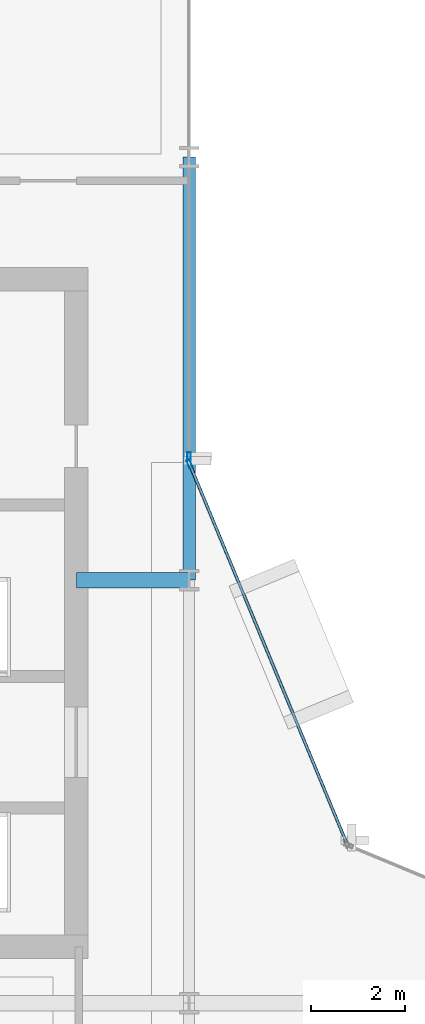
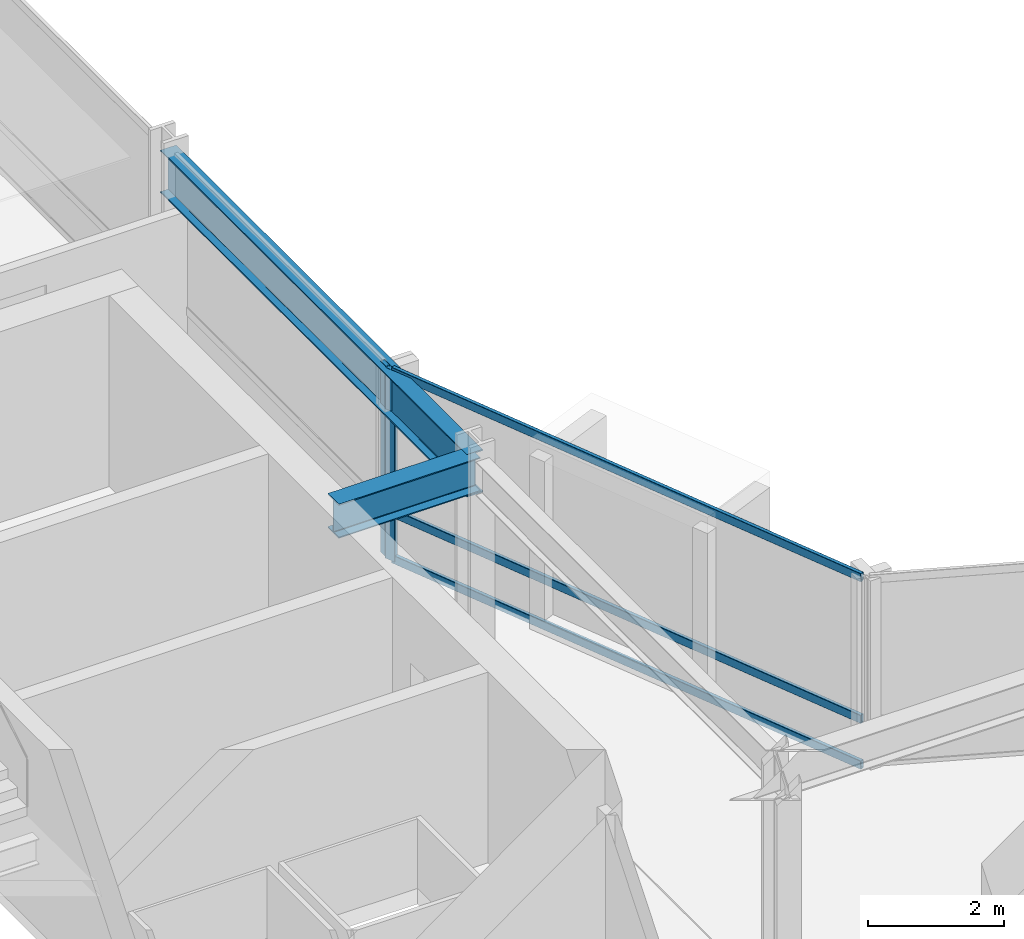
# One storey, part 17 of 28: 5 members, 2 beams, 2 elements without a shape of their own.
"""IFC4 building model written with IfcOpenShell, lengths in metres."""

import ifcopenshell
import ifcopenshell.guid

model = None  # the IFC model being written
_history = None  # IfcOwnerHistory: only IFC2X3 demands one
_inside = {}  # id of a spatial element -> (the spatial element, [elements in it])
_under = {}  # id of a project, library or spatial element -> (it, [spatial elements below it])
_declared = {}  # id of a project -> (the project, [libraries it declares])
_typed = {}  # id of a type object -> (the type object, [elements of that type])
_made_of = {}  # id of a material, layer set ... -> (it, [elements and type objects made of it])


def new_model(schema):
    """Start an empty IFC model of exactly this schema.

    Asked for "IFC4X3", IfcOpenShell would pick the latest addendum, in which some entities
    have other attributes; the version numbers below select the first issue.
    IFC2X3 requires an IfcOwnerHistory on every rooted entity: one is made here for all.
    """
    global model, _history
    if schema == "IFC4X3":
        model = ifcopenshell.file(schema_version=(4, 3, 0, 0))
    else:
        model = ifcopenshell.file(schema=schema)
    _inside.clear()
    _under.clear()
    _declared.clear()
    _typed.clear()
    _made_of.clear()
    _history = None
    if model.schema == "IFC2X3":
        org = make("IfcOrganization", Name="unknown")
        user = make(
            "IfcPersonAndOrganization",
            ThePerson=make("IfcPerson", FamilyName="unknown"),
            TheOrganization=org,
        )
        app = make(
            "IfcApplication",
            ApplicationDeveloper=org,
            Version="unknown",
            ApplicationFullName="unknown",
            ApplicationIdentifier="unknown",
        )
        _history = make(
            "IfcOwnerHistory",
            OwningUser=user,
            OwningApplication=app,
            ChangeAction="ADDED",
            CreationDate=0,
        )
    return model


def make(cls, **values):
    """One entity of the class cls with the attributes given. An attribute that is None is left unset."""
    return model.create_entity(
        cls, **{name: value for name, value in values.items() if value is not None}
    )


def rooted(cls, **values):
    """An entity with a GlobalId (a new one), such as an element, a storey or a relation."""
    return make(cls, GlobalId=ifcopenshell.guid.new(), OwnerHistory=_history, **values)


def si_unit(unit_type, name, prefix=None):
    """IfcSIUnit, for example si_unit("LENGTHUNIT", "METRE", prefix="MILLI")."""
    return make("IfcSIUnit", UnitType=unit_type, Prefix=prefix, Name=name)


def assignment(units):
    """IfcUnitAssignment: the units of a project."""
    return None if units is None else make("IfcUnitAssignment", Units=units)


def point(xyz):
    """IfcCartesianPoint."""
    return None if xyz is None else make("IfcCartesianPoint", Coordinates=xyz)


def direction(xyz):
    """IfcDirection."""
    return None if xyz is None else make("IfcDirection", DirectionRatios=xyz)


def frame(location, z_axis=None, x_axis=None):
    """IfcAxis2Placement3D, a coordinate frame: its origin and axes. An axis left out is left unset."""
    return make(
        "IfcAxis2Placement3D",
        Location=point(location),
        Axis=direction(z_axis),
        RefDirection=direction(x_axis),
    )


def frame_2d(location, x_axis=None):
    """IfcAxis2Placement2D, a coordinate frame in the plane: its origin and x axis."""
    return make(
        "IfcAxis2Placement2D", Location=point(location), RefDirection=direction(x_axis)
    )


def origin():
    """The frame at (0, 0, 0) with its axes left unset."""
    return frame((0.0, 0.0, 0.0))


def origin_2d():
    """The frame at (0, 0) in the plane with its x axis left unset."""
    return frame_2d((0.0, 0.0))


def place(relative_to, where):
    """IfcLocalPlacement: puts the frame where relative to a parent placement (None: the world)."""
    return make(
        "IfcLocalPlacement", PlacementRelTo=relative_to, RelativePlacement=where
    )


def context(
    kind, dimensions, precision=None, world=None, true_north=None, identifier=None
):
    """IfcGeometricRepresentationContext, for example the 3D "Model" context."""
    return make(
        "IfcGeometricRepresentationContext",
        ContextIdentifier=identifier,
        ContextType=kind,
        CoordinateSpaceDimension=dimensions,
        Precision=precision,
        WorldCoordinateSystem=world,
        TrueNorth=true_north,
    )


def subcontext(parent, identifier, kind, view, scale=None):
    """IfcGeometricRepresentationSubContext, for example "Body" below "Model"."""
    return make(
        "IfcGeometricRepresentationSubContext",
        ContextIdentifier=identifier,
        ContextType=kind,
        ParentContext=parent,
        TargetScale=scale,
        TargetView=view,
    )


def project(units=None, contexts=None):
    """IfcProject with its units and contexts."""
    return rooted(
        "IfcProject",
        Name="project",
        RepresentationContexts=contexts,
        UnitsInContext=assignment(units),
    )


def spatial(cls, under=None, at=None, **own):
    """A site, building, storey or space (cls), placed at a placement, below another one or the project."""
    s = rooted(cls, ObjectPlacement=at, **own)
    if under is not None:
        _under.setdefault(under.id(), (under, []))[1].append(s)
    return s


def profile(cls, at=None, kind="AREA", **sizes):
    """A parametric profile (cls). Its sizes go by their IFC names, for example OverallWidth=200.0."""
    return make(cls, ProfileType=kind, Position=at, **sizes)


def hollow_rectangle(**sizes):
    """IfcRectangleHollowProfileDef."""
    return profile("IfcRectangleHollowProfileDef", **sizes)


def i_section(**sizes):
    """IfcIShapeProfileDef."""
    return profile("IfcIShapeProfileDef", **sizes)


def extrude(swept, where, along, depth):
    """IfcExtrudedAreaSolid: the profile swept, set in the frame where, extruded along a direction by depth."""
    return make(
        "IfcExtrudedAreaSolid",
        SweptArea=swept,
        Position=where,
        ExtrudedDirection=direction(along),
        Depth=depth,
    )


def shape(context_of_items, identifier, shape_type, items):
    """IfcShapeRepresentation: the items that make up one representation, for example the "Body"."""
    return make(
        "IfcShapeRepresentation",
        ContextOfItems=context_of_items,
        RepresentationIdentifier=identifier,
        RepresentationType=shape_type,
        Items=items,
    )


def material(Name=None, Category=None):
    """IfcMaterial."""
    return make("IfcMaterial", Name=Name, Category=Category)


def layer(
    of_material, thickness, ventilated=None, Name=None, Category=None, Priority=None
):
    """IfcMaterialLayer: one layer of a wall or slab, of a material (None: an air gap)."""
    return make(
        "IfcMaterialLayer",
        Material=of_material,
        LayerThickness=thickness,
        IsVentilated=ventilated,
        Name=Name,
        Category=Category,
        Priority=Priority,
    )


def layer_set(layers, Name=None):
    """IfcMaterialLayerSet."""
    return make("IfcMaterialLayerSet", MaterialLayers=layers, LayerSetName=Name)


def material_profile(
    of_material, cross_section, Name=None, Category=None, Priority=None
):
    """IfcMaterialProfile: a cross section and its material."""
    return make(
        "IfcMaterialProfile",
        Name=Name,
        Material=of_material,
        Profile=cross_section,
        Priority=Priority,
        Category=Category,
    )


def profile_set(profiles, Name=None, composite=None):
    """IfcMaterialProfileSet."""
    return make(
        "IfcMaterialProfileSet",
        Name=Name,
        MaterialProfiles=profiles,
        CompositeProfile=composite,
    )


def made_of(thing, what):
    """Note that an element or type object is made of a material, layer set ...; save() writes the relation."""
    if what is not None:
        _made_of.setdefault(what.id(), (what, []))[1].append(thing)
    return thing


def type_object(cls, material=None, **own):
    """A type object (cls), such as IfcWallType, which elements share."""
    return made_of(rooted(cls, **own), material)


def element(
    cls,
    number,
    at=None,
    inside=None,
    cuts=None,
    type_object=None,
    material=None,
    context=None,
    identifier="Body",
    shape_type=None,
    held_by="IfcProductDefinitionShape",
    body=None,
    shapes=None,
    **own,
):
    """One element of the class cls, such as IfcWall. Its Tag is "e" and its number.

    at: its placement. inside: the storey or other place that contains it. cuts: it is an
    opening in that element (IfcRelVoidsElement). A single representation is given by context,
    identifier, shape_type and body (its items); several are given by shapes. held_by: the class
    of the entity that holds the representations. save() writes the other relations.
    """
    e = rooted(cls, Tag="e%d" % number, ObjectPlacement=at, **own)
    if body is not None:
        shapes = [shape(context, identifier, shape_type, body)]
    if shapes is not None:
        e.Representation = make(held_by, Representations=shapes)
    if inside is not None:
        _inside.setdefault(inside.id(), (inside, []))[1].append(e)
    if cuts is not None:
        rooted(
            "IfcRelVoidsElement", RelatingBuildingElement=cuts, RelatedOpeningElement=e
        )
    if type_object is not None:
        _typed.setdefault(type_object.id(), (type_object, []))[1].append(e)
    return made_of(e, material)


def aggregate(whole, parts):
    """IfcRelAggregates: a whole, such as a stair, and the parts it consists of."""
    return rooted("IfcRelAggregates", RelatingObject=whole, RelatedObjects=parts)


def save(model, path):
    """Write the relations noted so far, then the file.

    IfcRelAggregates (storeys below a building ...), IfcRelContainedInSpatialStructure (elements
    in a storey), IfcRelDefinesByType, IfcRelAssociatesMaterial and IfcRelDeclares: one each for
    every whole, place, type object, material and project.
    """
    for whole, parts in _under.values():
        aggregate(whole, parts)
    for where, things in _inside.values():
        rooted(
            "IfcRelContainedInSpatialStructure",
            RelatedElements=things,
            RelatingStructure=where,
        )
    for kind, things in _typed.values():
        rooted("IfcRelDefinesByType", RelatedObjects=things, RelatingType=kind)
    for what, things in _made_of.values():
        rooted("IfcRelAssociatesMaterial", RelatedObjects=things, RelatingMaterial=what)
    for by, libraries in _declared.values():
        rooted("IfcRelDeclares", RelatingContext=by, RelatedDefinitions=libraries)
    model.write(path)


model = new_model("IFC4")

# Units and contexts
model_context = context("Model", 3, precision=1e-05, world=origin(), true_north=direction((0.0, 1.0)))
body_context = subcontext(model_context, "Body", "Model", "MODEL_VIEW")
ifc_project = project(units=[si_unit("LENGTHUNIT", "METRE"), si_unit("AREAUNIT", "SQUARE_METRE"), si_unit("VOLUMEUNIT", "CUBIC_METRE"), si_unit("PLANEANGLEUNIT", "RADIAN"), si_unit("MASSUNIT", "GRAM", prefix="KILO")], contexts=[model_context])

# Site, building, storey
site_placement = place(None, origin())
site = spatial("IfcSite", under=ifc_project, at=site_placement, CompositionType="ELEMENT")
building_placement = place(site_placement, origin())
building = spatial("IfcBuilding", under=site, at=building_placement, Name="Solvaryn Broadcast Tower", CompositionType="ELEMENT")
storey_placement = place(building_placement, frame((0.0, 0.0, 132.199951171875)))
storey = spatial("IfcBuildingStorey", under=building, at=storey_placement, Name="L32", CompositionType="ELEMENT", Elevation=132.199951171875)

# Beams
ifc_material_1 = material(Name="Steel ASTM A992 Grade 50", Category="steel")
ifc_material_profile_1 = material_profile(ifc_material_1, i_section(OverallWidth=0.323974609375, OverallDepth=0.611083984375, WebThickness=0.0126953125, FlangeThickness=0.01904296875, FilletRadius=0.014892578125, at=origin_2d()))
ifc_profile_set_1 = profile_set([ifc_material_profile_1], Name="Steel ASTM A992 Grade 50")
beam_type_1 = type_object("IfcBeamType", Name="BM-B1-W24X104", PredefinedType="BEAM", material=ifc_profile_set_1)
beam_1_placement = place(storey_placement, frame((24.60009765625, 36.0, 3.114501953125), z_axis=(1.0, 0.0, 0.0), x_axis=(0.0, 1.0, 0.0)))
element("IfcBeam", 1, at=beam_1_placement, inside=storey, type_object=beam_type_1, Name="L32 Core Tie Beam CTW2", PredefinedType="BEAM", context=body_context, shape_type="SweptSolid", body=[
    extrude(i_section(OverallWidth=0.323974609375, OverallDepth=0.611083984375, WebThickness=0.0126953125, FlangeThickness=0.01904296875, FilletRadius=0.014892578125, at=origin_2d()), origin(), (0.0, 0.0, 1.0), 2.39990234375),
])
ifc_material_2 = material(Name="Steel ASTM A992 Grade 50", Category="steel")
ifc_material_profile_2 = material_profile(ifc_material_2, i_section(OverallWidth=0.26708984375, OverallDepth=0.76611328125, WebThickness=0.014892578125, FlangeThickness=0.023681640625, FilletRadius=0.01806640625, at=origin_2d()))
ifc_profile_set_2 = profile_set([ifc_material_profile_2], Name="Steel ASTM A992 Grade 50")
beam_type_2 = type_object("IfcBeamType", Name="BM-SP2-W30X124", PredefinedType="USERDEFINED", material=ifc_profile_set_2)
beam_2_placement = place(storey_placement, frame((27.0, 36.0, 3.037109375), z_axis=(0.0, 1.0, 0.0), x_axis=(-1.0, 0.0, 0.0)))
element("IfcBeam", 2, at=beam_2_placement, inside=storey, type_object=beam_type_2, Name="L32 Spandrel Beam Y (36-45 @ X=27)", ObjectType="SPANDREL", PredefinedType="USERDEFINED", context=body_context, shape_type="SweptSolid", body=[
    extrude(i_section(OverallWidth=0.26708984375, OverallDepth=0.76611328125, WebThickness=0.014892578125, FlangeThickness=0.023681640625, FilletRadius=0.01806640625, at=origin_2d()), origin(), (0.0, 0.0, 1.0), 9.0),
])

# Curtain wall, member
ifc_material_3 = material(Name="Aluminium and Terracotta Unitised Curtain Wall", Category="masonry")
ifc_layer = layer(ifc_material_3, 0.199951171875)
ifc_layer_set = layer_set([ifc_layer], Name="CW-SYS2-LOWMID")
curtain_wall_type = type_object("IfcCurtainWallType", Name="CW-SYS2-LOWMID", PredefinedType="NOTDEFINED", material=ifc_layer_set)
curtain_wall_1_placement = place(storey_placement, origin())
curtain_wall_1 = element("IfcCurtainWall", 3, at=curtain_wall_1_placement, inside=storey, type_object=curtain_wall_type, Name="L32 Curtain Wall IV", PredefinedType="NOTDEFINED")
ifc_material_4 = material(Name="Anodised Aluminium 6063-T6", Category="aluminium")
ifc_material_profile_3 = material_profile(ifc_material_4, hollow_rectangle(XDim=0.074951171875, YDim=0.179931640625, WallThickness=0.00390625, InnerFilletRadius=0.00390625, OuterFilletRadius=0.008056640625, at=origin_2d()))
ifc_profile_set_3 = profile_set([ifc_material_profile_3], Name="Anodised Aluminium 6063-T6")
member_type_1 = type_object("IfcMemberType", Name="CW-MUL-180", PredefinedType="MULLION", material=ifc_profile_set_3)
member_1_placement = place(storey_placement, frame((27.0, 38.6298828125, 0.0), z_axis=(0.0, 0.0, 1.0), x_axis=(1.0, 0.0, 0.0)))
member_1 = element("IfcMember", 4, at=member_1_placement, type_object=member_type_1, Name="CWS2 mullion 2", PredefinedType="MULLION", context=body_context, shape_type="SweptSolid", body=[
    extrude(hollow_rectangle(XDim=0.074951171875, YDim=0.179931640625, WallThickness=0.00390625, InnerFilletRadius=0.00390625, OuterFilletRadius=0.008056640625, at=origin_2d()), origin(), (0.0, 0.0, 1.0), 3.420166015625),
])
aggregate(curtain_wall_1, [member_1])

# Curtain wall, members
curtain_wall_2_placement = place(storey_placement, origin())
curtain_wall_2 = element("IfcCurtainWall", 5, at=curtain_wall_2_placement, inside=storey, type_object=curtain_wall_type, Name="L32 Curtain Wall CN2", PredefinedType="NOTDEFINED")
member_2_placement = place(storey_placement, frame((27.011474609375, 38.47216796875, 0.0), z_axis=(0.0, 0.0, 1.0), x_axis=(-0.923894983957, -0.382646127145, 0.0)))
member_2 = element("IfcMember", 6, at=member_2_placement, type_object=member_type_1, Name="CWS2 mullion 2", PredefinedType="MULLION", context=body_context, shape_type="SweptSolid", body=[
    extrude(hollow_rectangle(XDim=0.074951171875, YDim=0.179931640625, WallThickness=0.00390625, InnerFilletRadius=0.00390625, OuterFilletRadius=0.008056640625, at=origin_2d()), origin(), (0.0, 0.0, 1.0), 3.420166015625),
])
ifc_material_5 = material(Name="Anodised Aluminium 6063-T6", Category="aluminium")
ifc_material_profile_4 = material_profile(ifc_material_5, hollow_rectangle(XDim=0.06494140625, YDim=0.14990234375, WallThickness=0.00390625, InnerFilletRadius=0.00390625, OuterFilletRadius=0.008056640625, at=origin_2d()))
ifc_profile_set_4 = profile_set([ifc_material_profile_4], Name="Anodised Aluminium 6063-T6")
member_type_2 = type_object("IfcMemberType", Name="CW-TRN-150", PredefinedType="USERDEFINED", material=ifc_profile_set_4)
member_3_placement = place(storey_placement, frame((30.344970703125, 30.42333984375, 0.030029296875), z_axis=(-0.382635748975, 0.923899282177, 0.0), x_axis=(-0.923899282177, -0.382635748975, 0.0)))
member_3 = element("IfcMember", 7, at=member_3_placement, type_object=member_type_2, Name="CWS2 transom 1.1", ObjectType="TRANSOM", PredefinedType="USERDEFINED", context=body_context, shape_type="SweptSolid", body=[
    extrude(hollow_rectangle(XDim=0.06494140625, YDim=0.14990234375, WallThickness=0.00390625, InnerFilletRadius=0.00390625, OuterFilletRadius=0.008056640625, at=origin_2d()), origin(), (0.0, 0.0, 1.0), 8.681884765625),
])
member_4_placement = place(storey_placement, frame((30.344970703125, 30.42333984375, 0.85009765625), z_axis=(-0.382635748975, 0.923899282177, 0.0), x_axis=(-0.923899282177, -0.382635748975, 0.0)))
member_4 = element("IfcMember", 8, at=member_4_placement, type_object=member_type_2, Name="CWS2 transom 1.2", ObjectType="TRANSOM", PredefinedType="USERDEFINED", context=body_context, shape_type="SweptSolid", body=[
    extrude(hollow_rectangle(XDim=0.06494140625, YDim=0.14990234375, WallThickness=0.00390625, InnerFilletRadius=0.00390625, OuterFilletRadius=0.008056640625, at=origin_2d()), origin(), (0.0, 0.0, 1.0), 8.681884765625),
])
member_5_placement = place(storey_placement, frame((30.344970703125, 30.42333984375, 3.39013671875), z_axis=(-0.382635748975, 0.923899282177, 0.0), x_axis=(-0.923899282177, -0.382635748975, 0.0)))
member_5 = element("IfcMember", 9, at=member_5_placement, type_object=member_type_2, Name="CWS2 transom 1.3", ObjectType="TRANSOM", PredefinedType="USERDEFINED", context=body_context, shape_type="SweptSolid", body=[
    extrude(hollow_rectangle(XDim=0.06494140625, YDim=0.14990234375, WallThickness=0.00390625, InnerFilletRadius=0.00390625, OuterFilletRadius=0.008056640625, at=origin_2d()), origin(), (0.0, 0.0, 1.0), 8.681884765625),
])
aggregate(curtain_wall_2, [member_2, member_3, member_4, member_5])

save(model, "model.ifc")
